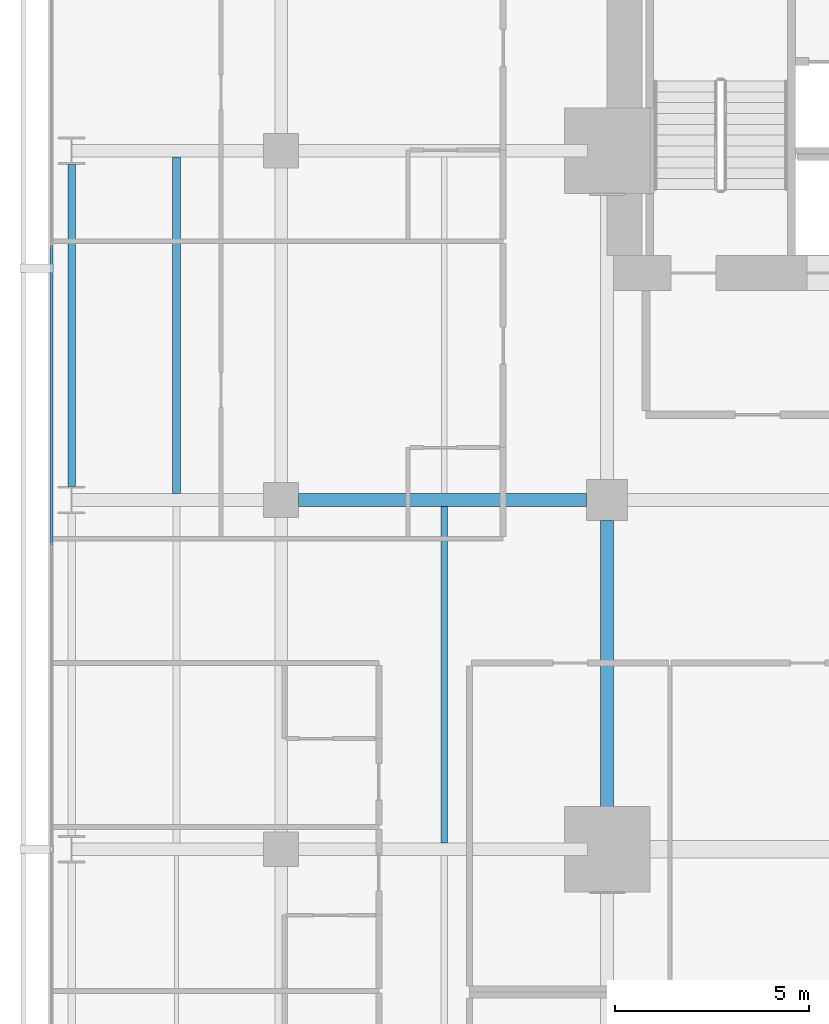
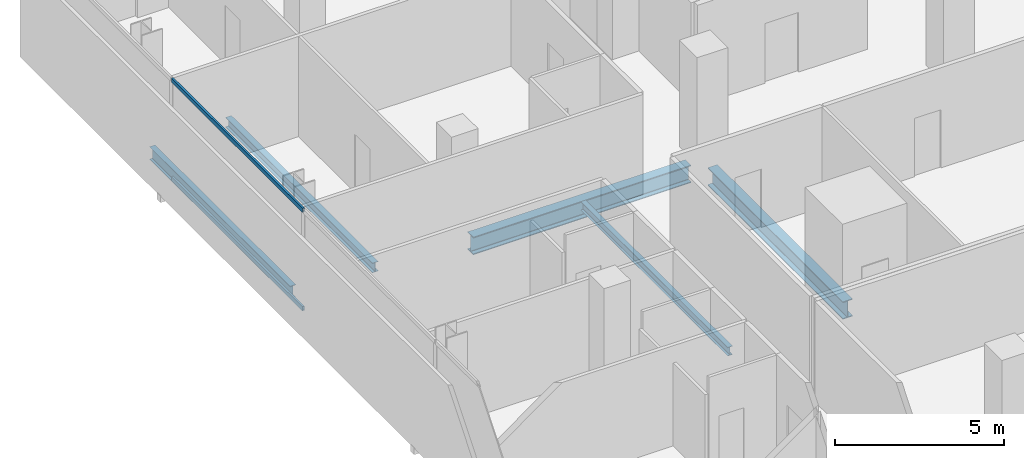
# One storey, part 22 of 40: 5 beams, 2 members, 1 element without a shape of its own.
"""IFC4 building model written with IfcOpenShell, lengths in metres."""

from ifc_helpers import new_model, si_unit, direction, frame, origin, origin_2d, place, context, subcontext, project, spatial, hollow_rectangle, i_section, extrude, material, layer, layer_set, material_profile, profile_set, type_object, element, aggregate, save


model = new_model("IFC4")

# Units and contexts
model_context = context("Model", 3, precision=1e-05, world=origin(), true_north=direction((0.0, 1.0)))
body_context = subcontext(model_context, "Body", "Model", "MODEL_VIEW")
ifc_project = project(units=[si_unit("LENGTHUNIT", "METRE"), si_unit("AREAUNIT", "SQUARE_METRE"), si_unit("VOLUMEUNIT", "CUBIC_METRE"), si_unit("PLANEANGLEUNIT", "RADIAN"), si_unit("MASSUNIT", "GRAM", prefix="KILO")], contexts=[model_context])

# Site, building, storey
site_placement = place(None, origin())
site = spatial("IfcSite", under=ifc_project, at=site_placement, CompositionType="ELEMENT")
building_placement = place(site_placement, origin())
building = spatial("IfcBuilding", under=site, at=building_placement, Name="Maruvema Waterfront Hotel and Observation Tower", CompositionType="ELEMENT")
storey_placement = place(building_placement, frame((0.0, 0.0, 34.64990234375)))
storey = spatial("IfcBuildingStorey", under=building, at=storey_placement, Name="L07", CompositionType="ELEMENT", Elevation=34.64990234375)

# Curtain wall, members
ifc_material_1 = material(Name="Anodised bronze aluminium and solar-control low-E IGU", Category="aluminium")
ifc_layer = layer(ifc_material_1, 0.159912109375, Name="Zone 1 Bronze Inner Thermal Curtain Wall System CW-02")
ifc_layer_set = layer_set([ifc_layer], Name="Anodised bronze aluminium and solar-control low-E IGU")
curtain_wall_type = type_object("IfcCurtainWallType", Name="Zone 1 Bronze Inner Thermal Curtain Wall System CW-02", PredefinedType="USERDEFINED", material=ifc_layer_set)
curtain_wall_placement = place(storey_placement, origin())
curtain_wall = element("IfcCurtainWall", 1, at=curtain_wall_placement, inside=storey, type_object=curtain_wall_type, Name="L07 Curtain Wall CW-L07-W", ObjectType="UNITISED CURTAIN WALL", PredefinedType="USERDEFINED")
ifc_material_2 = material(Name="Anodised architectural bronze aluminium", Category="aluminium")
ifc_material_profile_1 = material_profile(ifc_material_2, hollow_rectangle(XDim=0.070068359375, YDim=0.14990234375, WallThickness=0.00390625, at=origin_2d()), Name="ALU-T70x150")
ifc_profile_set_1 = profile_set([ifc_material_profile_1], Name="Anodised architectural bronze aluminium")
member_type = type_object("IfcMemberType", Name="Curtain Wall Horizontal Transom ALU-T70x150", PredefinedType="USERDEFINED", material=ifc_profile_set_1)
member_1_placement = place(storey_placement, frame((10.8798828125, 42.570068359375, 0.030029296875), z_axis=(0.0, -1.0, 0.0), x_axis=(1.0, 0.0, 0.0)))
member_1 = element("IfcMember", 2, at=member_1_placement, type_object=member_type, Name="CW-02 transom 2.1", ObjectType="TRANSOM", PredefinedType="USERDEFINED", context=body_context, shape_type="SweptSolid", body=[
    extrude(hollow_rectangle(XDim=0.070068359375, YDim=0.14990234375, WallThickness=0.00390625, at=origin_2d()), origin(), (0.0, 0.0, 1.0), 7.739990234375),
])
member_2_placement = place(storey_placement, frame((10.8798828125, 42.570068359375, 3.580078125), z_axis=(0.0, -1.0, 0.0), x_axis=(1.0, 0.0, 0.0)))
member_2 = element("IfcMember", 3, at=member_2_placement, type_object=member_type, Name="CW-02 transom 2.2", ObjectType="TRANSOM", PredefinedType="USERDEFINED", context=body_context, shape_type="SweptSolid", body=[
    extrude(hollow_rectangle(XDim=0.070068359375, YDim=0.14990234375, WallThickness=0.00390625, at=origin_2d()), origin(), (0.0, 0.0, 1.0), 7.739990234375),
])
aggregate(curtain_wall, [member_1, member_2])

# Beams
ifc_material_3 = material(Name="Steel ASTM A572 Grade 50", Category="steel")
ifc_material_profile_2 = material_profile(ifc_material_3, i_section(OverallWidth=0.18994140625, OverallDepth=0.45703125, WebThickness=0.009033203125, FlangeThickness=0.014404296875, FilletRadius=0.014892578125, at=origin_2d()), Name="W460x74.0")
ifc_profile_set_2 = profile_set([ifc_material_profile_2], Name="Steel ASTM A572 Grade 50")
beam_type_1 = type_object("IfcBeamType", Name="Perimeter Spandrel Beam W460x74.0", PredefinedType="SPANDREL", material=ifc_profile_set_2)
beam_1_placement = place(storey_placement, frame((11.39990234375, 36.35009765625, -0.468505859375), z_axis=(0.0, 1.0, 0.0), x_axis=(-1.0, 0.0, 0.0)))
element("IfcBeam", 4, at=beam_1_placement, inside=storey, type_object=beam_type_1, Name="L07 Floor Girder NS-04", PredefinedType="SPANDREL", context=body_context, shape_type="SweptSolid", body=[
    extrude(i_section(OverallWidth=0.18994140625, OverallDepth=0.45703125, WebThickness=0.009033203125, FlangeThickness=0.014404296875, FilletRadius=0.014892578125, at=origin_2d()), origin(), (0.0, 0.0, 1.0), 8.2998046875),
])
ifc_material_4 = material(Name="Steel ASTM A572 Grade 50", Category="steel")
ifc_material_profile_3 = material_profile(ifc_material_4, i_section(OverallWidth=0.3291015625, OverallDepth=0.635009765625, WebThickness=0.017822265625, FlangeThickness=0.031005859375, FilletRadius=0.01806640625, at=origin_2d()), Name="W610x241.0")
ifc_profile_set_3 = profile_set([ifc_material_profile_3], Name="Steel ASTM A572 Grade 50")
beam_type_2 = type_object("IfcBeamType", Name="Primary Floor Girder W610x241.0", PredefinedType="BEAM", material=ifc_profile_set_3)
beam_2_placement = place(storey_placement, frame((17.25, 36.0, -0.557373046875), z_axis=(1.0, 0.0, 0.0), x_axis=(0.0, 1.0, 0.0)))
element("IfcBeam", 5, at=beam_2_placement, inside=storey, type_object=beam_type_2, Name="L07 Floor Girder EW-26", PredefinedType="BEAM", context=body_context, shape_type="SweptSolid", body=[
    extrude(i_section(OverallWidth=0.3291015625, OverallDepth=0.635009765625, WebThickness=0.017822265625, FlangeThickness=0.031005859375, FilletRadius=0.01806640625, at=origin_2d()), origin(), (0.0, 0.0, 1.0), 7.425048828125),
])
beam_3_placement = place(storey_placement, frame((25.199951171875, 27.5, -0.557373046875), z_axis=(0.0, 1.0, 0.0), x_axis=(-1.0, 0.0, 0.0)))
element("IfcBeam", 6, at=beam_3_placement, inside=storey, type_object=beam_type_2, Name="L07 Floor Girder NS-14", PredefinedType="BEAM", context=body_context, shape_type="SweptSolid", body=[
    extrude(i_section(OverallWidth=0.3291015625, OverallDepth=0.635009765625, WebThickness=0.017822265625, FlangeThickness=0.031005859375, FilletRadius=0.01806640625, at=origin_2d()), origin(), (0.0, 0.0, 1.0), 7.97509765625),
])
ifc_material_5 = material(Name="Steel ASTM A572 Grade 50", Category="steel")
ifc_material_profile_4 = material_profile(ifc_material_5, i_section(OverallWidth=0.1650390625, OverallDepth=0.31005859375, WebThickness=0.005859375, FlangeThickness=0.009765625, FilletRadius=0.012939453125, at=origin_2d()), Name="W310x38.7")
ifc_profile_set_4 = profile_set([ifc_material_profile_4], Name="Steel ASTM A572 Grade 50")
beam_type_3 = type_object("IfcBeamType", Name="Secondary Floor Joist W310x38.7", PredefinedType="JOIST", material=ifc_profile_set_4)
beam_4_placement = place(storey_placement, frame((21.0, 27.16455078125, -0.39501953125), z_axis=(0.0, 1.0, 0.0), x_axis=(-1.0, 0.0, 0.0)))
element("IfcBeam", 7, at=beam_4_placement, inside=storey, type_object=beam_type_3, Name="L07 Secondary Floor Joist JS-08", PredefinedType="JOIST", context=body_context, shape_type="SweptSolid", body=[
    extrude(i_section(OverallWidth=0.1650390625, OverallDepth=0.31005859375, WebThickness=0.005859375, FlangeThickness=0.009765625, FilletRadius=0.012939453125, at=origin_2d()), origin(), (0.0, 0.0, 1.0), 8.6708984375),
])
ifc_material_6 = material(Name="Steel ASTM A572 Grade 50", Category="steel")
ifc_material_profile_5 = material_profile(ifc_material_6, i_section(OverallWidth=0.202880859375, OverallDepth=0.346923828125, WebThickness=0.0078125, FlangeThickness=0.013427734375, FilletRadius=0.014892578125, at=origin_2d()), Name="W360x64.0")
ifc_profile_set_5 = profile_set([ifc_material_profile_5], Name="Steel ASTM A572 Grade 50")
beam_type_4 = type_object("IfcBeamType", Name="Secondary Floor Joist W360x64.0", PredefinedType="JOIST", material=ifc_profile_set_5)
beam_5_placement = place(storey_placement, frame((14.10009765625, 36.16455078125, -0.413330078125), z_axis=(0.0, 1.0, 0.0), x_axis=(-1.0, 0.0, 0.0)))
element("IfcBeam", 8, at=beam_5_placement, inside=storey, type_object=beam_type_4, Name="L07 Secondary Floor Joist JS-04", PredefinedType="JOIST", context=body_context, shape_type="SweptSolid", body=[
    extrude(i_section(OverallWidth=0.202880859375, OverallDepth=0.346923828125, WebThickness=0.0078125, FlangeThickness=0.013427734375, FilletRadius=0.014892578125, at=origin_2d()), origin(), (0.0, 0.0, 1.0), 8.6708984375),
])

save(model, "model.ifc")
